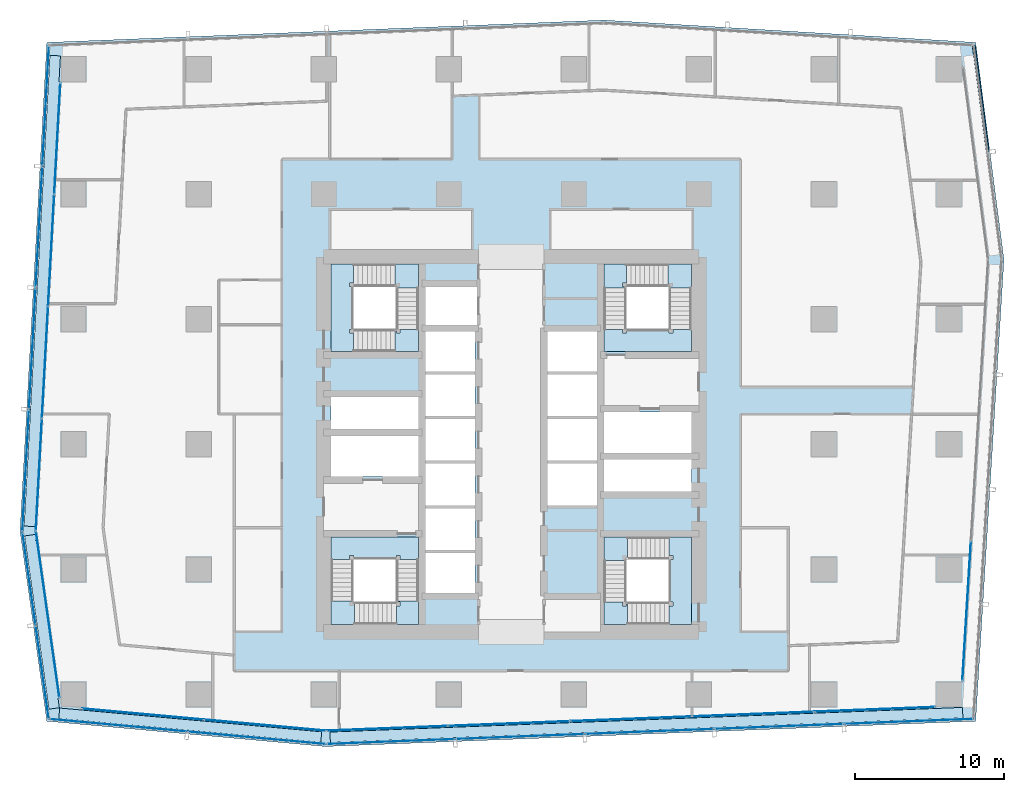
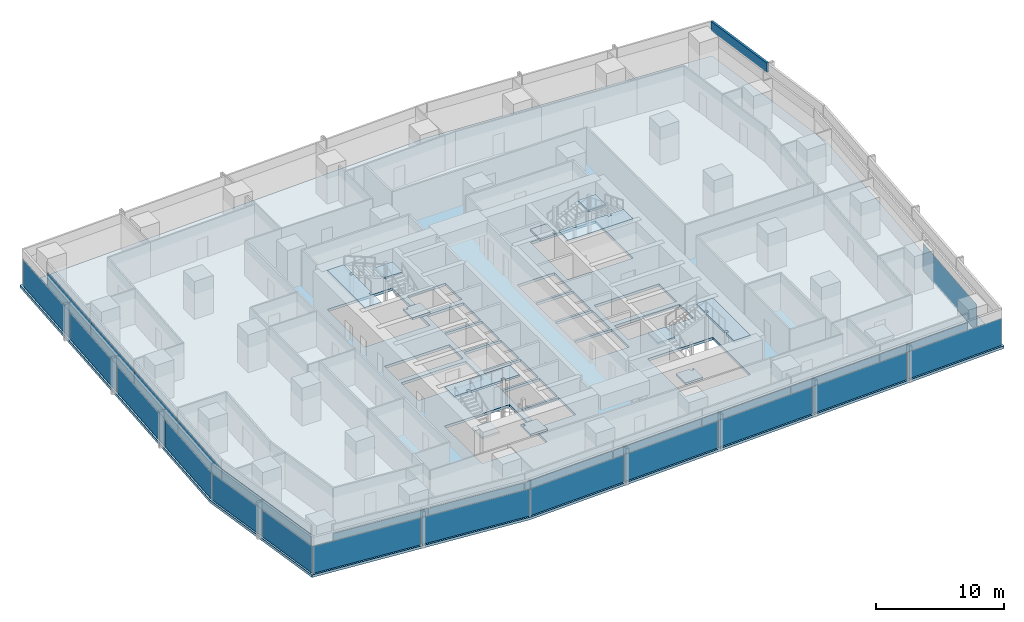
# One storey, part 27 of 40: 30 plates, 13 slabs, 1 member, 14 elements without a shape of their own.
"""IFC4 building model written with IfcOpenShell, lengths in metres."""

from ifc_helpers import new_model, si_unit, direction, frame, origin, origin_2d, place, context, subcontext, project, spatial, polyline, rectangle, hollow_rectangle, outline, extrude, material, layer, layer_set, material_profile, profile_set, type_object, element, aggregate, save


model = new_model("IFC4")

# Units and contexts
model_context = context("Model", 3, precision=1e-05, world=origin(), true_north=direction((0.0, 1.0)))
body_context = subcontext(model_context, "Body", "Model", "MODEL_VIEW")
ifc_project = project(units=[si_unit("LENGTHUNIT", "METRE"), si_unit("AREAUNIT", "SQUARE_METRE"), si_unit("VOLUMEUNIT", "CUBIC_METRE"), si_unit("PLANEANGLEUNIT", "RADIAN"), si_unit("MASSUNIT", "GRAM", prefix="KILO")], contexts=[model_context])

# Site, building, storey
site_placement = place(None, origin())
site = spatial("IfcSite", under=ifc_project, at=site_placement, CompositionType="ELEMENT")
building_placement = place(site_placement, origin())
building = spatial("IfcBuilding", under=site, at=building_placement, Name="Rekha Terrace Tower", CompositionType="ELEMENT")
storey_placement = place(building_placement, frame((0.0, 0.0, 110.300048828125)))
storey = spatial("IfcBuildingStorey", under=building, at=storey_placement, Name="L27", CompositionType="ELEMENT", Elevation=110.300048828125)

# Curtain wall, member
ifc_material_1 = material(Name="Aluminium framing", Category="aluminium")
curtain_wall_type_1 = type_object("IfcCurtainWallType", Name="CW2 double skin outer glazing", PredefinedType="USERDEFINED", material=ifc_material_1)
curtain_wall_1_placement = place(storey_placement, origin())
curtain_wall_1 = element("IfcCurtainWall", 1, at=curtain_wall_1_placement, inside=storey, type_object=curtain_wall_type_1, Name="CW2 double skin outer glazing", ObjectType="DOUBLE SKIN OUTER GLAZING", PredefinedType="USERDEFINED")
ifc_material_2 = material(Name="Insulated aluminium spandrel box", Category="aluminium")
ifc_material_profile = material_profile(ifc_material_2, hollow_rectangle(XDim=0.199951171875, YDim=0.89990234375, WallThickness=0.0029296875, at=origin_2d()), Name="AL SPANDREL BOX 200x900")
ifc_profile_set = profile_set([ifc_material_profile], Name="Insulated aluminium spandrel box")
member_type = type_object("IfcMemberType", Name="CW2 spandrel transom 200 x 900", PredefinedType="USERDEFINED", material=ifc_profile_set)
member_placement = place(storey_placement, frame((69.793701171875, 53.26513671875, 3.050048828125), z_axis=(-0.12912937971, 0.9916277544, 0.0), x_axis=(-0.9916277544, -0.12912937971, 0.0)))
member = element("IfcMember", 2, at=member_placement, type_object=member_type, Name="CW2 spandrel transom 2", ObjectType="TRANSOM", PredefinedType="USERDEFINED", context=body_context, shape_type="SweptSolid", body=[
    extrude(hollow_rectangle(XDim=0.199951171875, YDim=0.89990234375, WallThickness=0.0029296875, at=origin_2d()), origin(), (0.0, 0.0, 1.0), 7.163818359375),
])
aggregate(curtain_wall_1, [member])

# Curtain wall, plates
curtain_wall_type_2 = type_object("IfcCurtainWallType", Name="CW1 double skin inner glazing", PredefinedType="USERDEFINED", material=ifc_material_1)
curtain_wall_2_placement = place(storey_placement, origin())
curtain_wall_2 = element("IfcCurtainWall", 3, at=curtain_wall_2_placement, inside=storey, type_object=curtain_wall_type_2, Name="CW1 double skin inner glazing", ObjectType="DOUBLE SKIN INNER GLAZING", PredefinedType="USERDEFINED")
ifc_material_3 = material(Name="Double-glazed low-e unit 32", Category="glass")
ifc_layer_1 = layer(ifc_material_3, 0.031982421875)
ifc_layer_set_1 = layer_set([ifc_layer_1], Name="Double-glazed low-e unit 32")
plate_type_1 = type_object("IfcPlateType", Name="CW1 jumbo vision panel, double-glazed low-e unit 32", PredefinedType="CURTAIN_PANEL", material=ifc_layer_set_1)
plate_1_placement = place(storey_placement, frame((13.0439453125, 15.479248046875, 0.0), z_axis=(0.0, 0.0, 1.0), x_axis=(0.995901923142, -0.090439811381, 0.0)))
plate_1 = element("IfcPlate", 4, at=plate_1_placement, type_object=plate_type_1, Name="CW1 panel 1.1", PredefinedType="CURTAIN_PANEL", context=body_context, shape_type="SweptSolid", body=[
    extrude(rectangle(XDim=8.1494140625, YDim=0.031982421875, at=origin_2d()), origin(), (0.0, 0.0, 1.0), 2.60009765625),
])
plate_2_placement = place(storey_placement, frame((21.257080078125, 14.7333984375, 0.0), z_axis=(0.0, 0.0, 1.0), x_axis=(0.995901923142, -0.090439811381, 0.0)))
plate_2 = element("IfcPlate", 5, at=plate_2_placement, type_object=plate_type_1, Name="CW1 panel 2.1", PredefinedType="CURTAIN_PANEL", context=body_context, shape_type="SweptSolid", body=[
    extrude(rectangle(XDim=8.214599609375, YDim=0.031982421875, at=origin_2d()), origin(), (0.0, 0.0, 1.0), 2.60009765625),
])
aggregate(curtain_wall_2, [plate_1, plate_2])

curtain_wall_3_placement = place(storey_placement, origin())
curtain_wall_3 = element("IfcCurtainWall", 6, at=curtain_wall_3_placement, inside=storey, type_object=curtain_wall_type_2, Name="CW1 double skin inner glazing", ObjectType="DOUBLE SKIN INNER GLAZING", PredefinedType="USERDEFINED")
plate_3_placement = place(storey_placement, frame((29.4619140625, 14.52197265625, 0.0), z_axis=(0.0, 0.0, 1.0), x_axis=(0.999243498917, 0.038889971345, 0.0)))
plate_3 = element("IfcPlate", 7, at=plate_3_placement, type_object=plate_type_1, Name="CW1 panel 1.1", PredefinedType="CURTAIN_PANEL", context=body_context, shape_type="SweptSolid", body=[
    extrude(rectangle(XDim=8.105224609375, YDim=0.031982421875, at=origin_2d()), origin(), (0.0, 0.0, 1.0), 2.60009765625),
])
plate_4_placement = place(storey_placement, frame((37.64208984375, 14.84033203125, 0.0), z_axis=(0.0, 0.0, 1.0), x_axis=(0.999243498917, 0.038889971345, 0.0)))
plate_4 = element("IfcPlate", 8, at=plate_4_placement, type_object=plate_type_1, Name="CW1 panel 2.1", PredefinedType="CURTAIN_PANEL", context=body_context, shape_type="SweptSolid", body=[
    extrude(rectangle(XDim=8.1376953125, YDim=0.031982421875, at=origin_2d()), origin(), (0.0, 0.0, 1.0), 2.60009765625),
])
plate_5_placement = place(storey_placement, frame((45.838623046875, 15.159423828125, 0.0), z_axis=(0.0, 0.0, 1.0), x_axis=(0.999243498917, 0.038889971345, 0.0)))
plate_5 = element("IfcPlate", 9, at=plate_5_placement, type_object=plate_type_1, Name="CW1 panel 3.1", PredefinedType="CURTAIN_PANEL", context=body_context, shape_type="SweptSolid", body=[
    extrude(rectangle(XDim=8.1376953125, YDim=0.031982421875, at=origin_2d()), origin(), (0.0, 0.0, 1.0), 2.60009765625),
])
plate_6_placement = place(storey_placement, frame((54.034912109375, 15.478271484375, 0.0), z_axis=(0.0, 0.0, 1.0), x_axis=(0.999243498917, 0.038889971345, 0.0)))
plate_6 = element("IfcPlate", 10, at=plate_6_placement, type_object=plate_type_1, Name="CW1 panel 4.1", PredefinedType="CURTAIN_PANEL", context=body_context, shape_type="SweptSolid", body=[
    extrude(rectangle(XDim=8.1376953125, YDim=0.031982421875, at=origin_2d()), origin(), (0.0, 0.0, 1.0), 2.60009765625),
])
plate_7_placement = place(storey_placement, frame((62.21533203125, 15.796630859375, 0.0), z_axis=(0.0, 0.0, 1.0), x_axis=(0.999243498917, 0.038889971345, 0.0)))
plate_7 = element("IfcPlate", 11, at=plate_7_placement, type_object=plate_type_1, Name="CW1 panel 5.1", PredefinedType="CURTAIN_PANEL", context=body_context, shape_type="SweptSolid", body=[
    extrude(rectangle(XDim=8.105224609375, YDim=0.031982421875, at=origin_2d()), origin(), (0.0, 0.0, 1.0), 2.60009765625),
])
aggregate(curtain_wall_3, [plate_3, plate_4, plate_5, plate_6, plate_7])

# Curtain wall, plate
curtain_wall_4_placement = place(storey_placement, origin())
curtain_wall_4 = element("IfcCurtainWall", 12, at=curtain_wall_4_placement, inside=storey, type_object=curtain_wall_type_2, Name="CW1 double skin inner glazing", ObjectType="DOUBLE SKIN INNER GLAZING", PredefinedType="USERDEFINED")
plate_8_placement = place(storey_placement, frame((68.391357421875, 22.400634765625, 0.0), z_axis=(0.0, 0.0, 1.0), x_axis=(0.061159803131, 0.998127987024, 0.0)))
plate_8 = element("IfcPlate", 13, at=plate_8_placement, type_object=plate_type_1, Name="CW1 panel 1.1", PredefinedType="CURTAIN_PANEL", context=body_context, shape_type="SweptSolid", body=[
    extrude(rectangle(XDim=9.355224609375, YDim=0.031982421875, at=origin_2d()), origin(), (0.0, 0.0, 1.0), 2.60009765625),
])
aggregate(curtain_wall_4, [plate_8])

# Curtain wall, plates
curtain_wall_5_placement = place(storey_placement, origin())
curtain_wall_5 = element("IfcCurtainWall", 14, at=curtain_wall_5_placement, inside=storey, type_object=curtain_wall_type_2, Name="CW1 double skin inner glazing", ObjectType="DOUBLE SKIN INNER GLAZING", PredefinedType="USERDEFINED")
plate_9_placement = place(storey_placement, frame((7.30810546875, 54.15087890625, 0.0), z_axis=(0.0, 0.0, 1.0), x_axis=(-0.054742352707, -0.99850051318, 0.0)))
plate_9 = element("IfcPlate", 15, at=plate_9_placement, type_object=plate_type_1, Name="CW1 panel 1.1", PredefinedType="CURTAIN_PANEL", context=body_context, shape_type="SweptSolid", body=[
    extrude(rectangle(XDim=7.443359375, YDim=0.031982421875, at=origin_2d()), origin(), (0.0, 0.0, 1.0), 2.60009765625),
])
plate_10_placement = place(storey_placement, frame((6.89599609375, 46.637451171875, 0.0), z_axis=(0.0, 0.0, 1.0), x_axis=(-0.054742352707, -0.99850051318, 0.0)))
plate_10 = element("IfcPlate", 16, at=plate_10_placement, type_object=plate_type_1, Name="CW1 panel 2.1", PredefinedType="CURTAIN_PANEL", context=body_context, shape_type="SweptSolid", body=[
    extrude(rectangle(XDim=7.475830078125, YDim=0.031982421875, at=origin_2d()), origin(), (0.0, 0.0, 1.0), 2.60009765625),
])
plate_11_placement = place(storey_placement, frame((6.4833984375, 39.10791015625, 0.0), z_axis=(0.0, 0.0, 1.0), x_axis=(-0.054742352707, -0.99850051318, 0.0)))
plate_11 = element("IfcPlate", 17, at=plate_11_placement, type_object=plate_type_1, Name="CW1 panel 3.1", PredefinedType="CURTAIN_PANEL", context=body_context, shape_type="SweptSolid", body=[
    extrude(rectangle(XDim=7.475830078125, YDim=0.031982421875, at=origin_2d()), origin(), (0.0, 0.0, 1.0), 2.60009765625),
])
plate_12_placement = place(storey_placement, frame((6.069580078125, 31.56201171875, 0.0), z_axis=(0.0, 0.0, 1.0), x_axis=(-0.054742352707, -0.99850051318, 0.0)))
plate_12 = element("IfcPlate", 18, at=plate_12_placement, type_object=plate_type_1, Name="CW1 panel 4.1", PredefinedType="CURTAIN_PANEL", context=body_context, shape_type="SweptSolid", body=[
    extrude(rectangle(XDim=7.508544921875, YDim=0.031982421875, at=origin_2d()), origin(), (0.0, 0.0, 1.0), 2.60009765625),
])
aggregate(curtain_wall_5, [plate_9, plate_10, plate_11, plate_12])

# Curtain wall, plate
curtain_wall_6_placement = place(storey_placement, origin())
curtain_wall_6 = element("IfcCurtainWall", 19, at=curtain_wall_6_placement, inside=storey, type_object=curtain_wall_type_2, Name="CW1 double skin inner glazing", ObjectType="DOUBLE SKIN INNER GLAZING", PredefinedType="USERDEFINED")
plate_13_placement = place(storey_placement, frame((6.65869140625, 22.177490234375, 0.0), z_axis=(0.0, 0.0, 1.0), x_axis=(0.139597048082, -0.990208394312, 0.0)))
plate_13 = element("IfcPlate", 20, at=plate_13_placement, type_object=plate_type_1, Name="CW1 panel 1.1", PredefinedType="CURTAIN_PANEL", context=body_context, shape_type="SweptSolid", body=[
    extrude(rectangle(XDim=11.253173828125, YDim=0.031982421875, at=origin_2d()), origin(), (0.0, 0.0, 1.0), 2.60009765625),
])
aggregate(curtain_wall_6, [plate_13])

# Curtain wall, plates
curtain_wall_7_placement = place(storey_placement, origin())
curtain_wall_7 = element("IfcCurtainWall", 21, at=curtain_wall_7_placement, inside=storey, type_object=curtain_wall_type_1, Name="CW2 double skin outer glazing", ObjectType="DOUBLE SKIN OUTER GLAZING", PredefinedType="USERDEFINED")
ifc_material_4 = material(Name="Toughened single glazing 12", Category="glass")
ifc_layer_2 = layer(ifc_material_4, 0.011962890625)
ifc_layer_set_2 = layer_set([ifc_layer_2], Name="Toughened single glazing 12")
plate_type_2 = type_object("IfcPlateType", Name="CW2 jumbo vision panel, toughened single glazing 12", PredefinedType="CURTAIN_PANEL", material=ifc_layer_set_2)
plate_14_placement = place(storey_placement, frame((11.406494140625, 14.72412109375, 0.0), z_axis=(0.0, 0.0, 1.0), x_axis=(0.995901923137, -0.090439811433, 0.0)))
plate_14 = element("IfcPlate", 22, at=plate_14_placement, type_object=plate_type_2, Name="CW2 panel 1.1", PredefinedType="CURTAIN_PANEL", context=body_context, shape_type="SweptSolid", body=[
    extrude(rectangle(XDim=9.2099609375, YDim=0.011962890625, at=origin_2d()), origin(), (0.0, 0.0, 1.0), 2.60009765625),
])
plate_15_placement = place(storey_placement, frame((20.6982421875, 13.88037109375, 0.0), z_axis=(0.0, 0.0, 1.0), x_axis=(0.995901923137, -0.090439811433, 0.0)))
plate_15 = element("IfcPlate", 23, at=plate_15_placement, type_object=plate_type_2, Name="CW2 panel 2.1", PredefinedType="CURTAIN_PANEL", context=body_context, shape_type="SweptSolid", body=[
    extrude(rectangle(XDim=9.2900390625, YDim=0.011962890625, at=origin_2d()), origin(), (0.0, 0.0, 1.0), 2.60009765625),
])
aggregate(curtain_wall_7, [plate_14, plate_15])

curtain_wall_8_placement = place(storey_placement, origin())
curtain_wall_8 = element("IfcCurtainWall", 24, at=curtain_wall_8_placement, inside=storey, type_object=curtain_wall_type_1, Name="CW2 double skin outer glazing", ObjectType="DOUBLE SKIN OUTER GLAZING", PredefinedType="USERDEFINED")
plate_16_placement = place(storey_placement, frame((29.696533203125, 13.63037109375, 0.0), z_axis=(0.0, 0.0, 1.0), x_axis=(0.999243498917, 0.038889971345, 0.0)))
plate_16 = element("IfcPlate", 25, at=plate_16_placement, type_object=plate_type_2, Name="CW2 panel 1.1", PredefinedType="CURTAIN_PANEL", context=body_context, shape_type="SweptSolid", body=[
    extrude(rectangle(XDim=8.591552734375, YDim=0.011962890625, at=origin_2d()), origin(), (0.0, 0.0, 1.0), 2.60009765625),
])
plate_17_placement = place(storey_placement, frame((38.381591796875, 13.968505859375, 0.0), z_axis=(0.0, 0.0, 1.0), x_axis=(0.999243498917, 0.038889971345, 0.0)))
plate_17 = element("IfcPlate", 26, at=plate_17_placement, type_object=plate_type_2, Name="CW2 panel 2.1", PredefinedType="CURTAIN_PANEL", context=body_context, shape_type="SweptSolid", body=[
    extrude(rectangle(XDim=8.631591796875, YDim=0.011962890625, at=origin_2d()), origin(), (0.0, 0.0, 1.0), 2.60009765625),
])
plate_18_placement = place(storey_placement, frame((47.086669921875, 14.307373046875, 0.0), z_axis=(0.0, 0.0, 1.0), x_axis=(0.999243498917, 0.038889971345, 0.0)))
plate_18 = element("IfcPlate", 27, at=plate_18_placement, type_object=plate_type_2, Name="CW2 panel 3.1", PredefinedType="CURTAIN_PANEL", context=body_context, shape_type="SweptSolid", body=[
    extrude(rectangle(XDim=8.631591796875, YDim=0.011962890625, at=origin_2d()), origin(), (0.0, 0.0, 1.0), 2.60009765625),
])
plate_19_placement = place(storey_placement, frame((55.791748046875, 14.64599609375, 0.0), z_axis=(0.0, 0.0, 1.0), x_axis=(0.999243498917, 0.038889971345, 0.0)))
plate_19 = element("IfcPlate", 28, at=plate_19_placement, type_object=plate_type_2, Name="CW2 panel 4.1", PredefinedType="CURTAIN_PANEL", context=body_context, shape_type="SweptSolid", body=[
    extrude(rectangle(XDim=8.631591796875, YDim=0.011962890625, at=origin_2d()), origin(), (0.0, 0.0, 1.0), 2.60009765625),
])
plate_20_placement = place(storey_placement, frame((64.5166015625, 14.985595703125, 0.0), z_axis=(0.0, 0.0, 1.0), x_axis=(0.999243498917, 0.038889971345, 0.0)))
plate_20 = element("IfcPlate", 29, at=plate_20_placement, type_object=plate_type_2, Name="CW2 panel 5.1", PredefinedType="CURTAIN_PANEL", context=body_context, shape_type="SweptSolid", body=[
    extrude(rectangle(XDim=8.671630859375, YDim=0.011962890625, at=origin_2d()), origin(), (0.0, 0.0, 1.0), 2.60009765625),
])
aggregate(curtain_wall_8, [plate_16, plate_17, plate_18, plate_19, plate_20])

curtain_wall_9_placement = place(storey_placement, origin())
curtain_wall_9 = element("IfcCurtainWall", 30, at=curtain_wall_9_placement, inside=storey, type_object=curtain_wall_type_1, Name="CW2 double skin outer glazing", ObjectType="DOUBLE SKIN OUTER GLAZING", PredefinedType="USERDEFINED")
plate_21_placement = place(storey_placement, frame((6.52685546875, 56.342041015625, 0.0), z_axis=(0.0, 0.0, 1.0), x_axis=(-0.054742352707, -0.99850051318, 0.0)))
plate_21 = element("IfcPlate", 31, at=plate_21_placement, type_object=plate_type_2, Name="CW2 panel 1.1", PredefinedType="CURTAIN_PANEL", context=body_context, shape_type="SweptSolid", body=[
    extrude(rectangle(XDim=8.06005859375, YDim=0.011962890625, at=origin_2d()), origin(), (0.0, 0.0, 1.0), 2.60009765625),
])
plate_22_placement = place(storey_placement, frame((6.080078125, 48.1943359375, 0.0), z_axis=(0.0, 0.0, 1.0), x_axis=(-0.054742352707, -0.99850051318, 0.0)))
plate_22 = element("IfcPlate", 32, at=plate_22_placement, type_object=plate_type_2, Name="CW2 panel 2.1", PredefinedType="CURTAIN_PANEL", context=body_context, shape_type="SweptSolid", body=[
    extrude(rectangle(XDim=8.10009765625, YDim=0.011962890625, at=origin_2d()), origin(), (0.0, 0.0, 1.0), 2.60009765625),
])
plate_23_placement = place(storey_placement, frame((5.63232421875, 40.026611328125, 0.0), z_axis=(0.0, 0.0, 1.0), x_axis=(-0.054742352707, -0.99850051318, 0.0)))
plate_23 = element("IfcPlate", 33, at=plate_23_placement, type_object=plate_type_2, Name="CW2 panel 3.1", PredefinedType="CURTAIN_PANEL", context=body_context, shape_type="SweptSolid", body=[
    extrude(rectangle(XDim=8.10009765625, YDim=0.011962890625, at=origin_2d()), origin(), (0.0, 0.0, 1.0), 2.60009765625),
])
plate_24_placement = place(storey_placement, frame((5.183349609375, 31.8388671875, 0.0), z_axis=(0.0, 0.0, 1.0), x_axis=(-0.054742352707, -0.99850051318, 0.0)))
plate_24 = element("IfcPlate", 34, at=plate_24_placement, type_object=plate_type_2, Name="CW2 panel 4.1", PredefinedType="CURTAIN_PANEL", context=body_context, shape_type="SweptSolid", body=[
    extrude(rectangle(XDim=8.14013671875, YDim=0.011962890625, at=origin_2d()), origin(), (0.0, 0.0, 1.0), 2.60009765625),
])
aggregate(curtain_wall_9, [plate_21, plate_22, plate_23, plate_24])

curtain_wall_10_placement = place(storey_placement, origin())
curtain_wall_10 = element("IfcCurtainWall", 35, at=curtain_wall_10_placement, inside=storey, type_object=curtain_wall_type_1, Name="CW2 double skin outer glazing", ObjectType="DOUBLE SKIN OUTER GLAZING", PredefinedType="USERDEFINED")
plate_25_placement = place(storey_placement, frame((5.408447265625, 24.598388671875, 0.0), z_axis=(0.0, 0.0, 1.0), x_axis=(0.139597048082, -0.990208394312, 0.0)))
plate_25 = element("IfcPlate", 36, at=plate_25_placement, type_object=plate_type_2, Name="CW2 panel 1.1", PredefinedType="CURTAIN_PANEL", context=body_context, shape_type="SweptSolid", body=[
    extrude(rectangle(XDim=6.255859375, YDim=0.011962890625, at=origin_2d()), origin(), (0.0, 0.0, 1.0), 2.60009765625),
])
plate_26_placement = place(storey_placement, frame((6.298583984375, 18.284912109375, 0.0), z_axis=(0.0, 0.0, 1.0), x_axis=(0.139597048082, -0.990208394312, 0.0)))
plate_26 = element("IfcPlate", 37, at=plate_26_placement, type_object=plate_type_2, Name="CW2 panel 2.1", PredefinedType="CURTAIN_PANEL", context=body_context, shape_type="SweptSolid", body=[
    extrude(rectangle(XDim=6.3359375, YDim=0.011962890625, at=origin_2d()), origin(), (0.0, 0.0, 1.0), 2.60009765625),
])
aggregate(curtain_wall_10, [plate_25, plate_26])

# Plates
ifc_material_5 = material(Name="Galvanised steel open grating", Category="steel")
ifc_layer_3 = layer(ifc_material_5, 0.050048828125)
ifc_layer_set_3 = layer_set([ifc_layer_3], Name="Galvanised steel open grating")
plate_type_3 = type_object("IfcPlateType", Name="GT1 cavity walkway grating 50", PredefinedType="USERDEFINED", material=ifc_layer_set_3)
plate_27_placement = place(storey_placement, frame((16.236083984375, 14.737548828125, 0.0), z_axis=(0.0, 0.0, 1.0), x_axis=(0.99590192314, -0.090439811399, 0.0)))
element("IfcPlate", 38, at=plate_27_placement, inside=storey, type_object=plate_type_3, Name="Cavity walkway grating", ObjectType="CAVITY WALKWAY GRATING", PredefinedType="USERDEFINED", context=body_context, shape_type="SweptSolid", body=[
    extrude(rectangle(XDim=17.674072265625, YDim=0.705078125, at=origin_2d()), origin(), (0.0, 0.0, 1.0), 0.050048828125),
])
plate_28_placement = place(storey_placement, frame((46.88037109375, 14.74951171875, 0.0), z_axis=(0.0, 0.0, 1.0), x_axis=(0.999243498917, 0.038889971345, 0.0)))
element("IfcPlate", 39, at=plate_28_placement, inside=storey, type_object=plate_type_3, Name="Cavity walkway grating", ObjectType="CAVITY WALKWAY GRATING", PredefinedType="USERDEFINED", context=body_context, shape_type="SweptSolid", body=[
    extrude(rectangle(XDim=42.521728515625, YDim=0.705078125, at=origin_2d()), origin(), (0.0, 0.0, 1.0), 0.050048828125),
])
plate_29_placement = place(storey_placement, frame((6.295654296875, 43.9033203125, 0.0), z_axis=(0.0, 0.0, 1.0), x_axis=(-0.05474235269, -0.998500513181, 0.0)))
element("IfcPlate", 40, at=plate_29_placement, inside=storey, type_object=plate_type_3, Name="Cavity walkway grating", ObjectType="CAVITY WALKWAY GRATING", PredefinedType="USERDEFINED", context=body_context, shape_type="SweptSolid", body=[
    extrude(rectangle(XDim=31.6669921875, YDim=0.705078125, at=origin_2d()), origin(), (0.0, 0.0, 1.0), 0.050048828125),
])
plate_30_placement = place(storey_placement, frame((6.2744140625, 21.678955078125, 0.0), z_axis=(0.0, 0.0, 1.0), x_axis=(0.139597048064, -0.990208394315, 0.0)))
element("IfcPlate", 41, at=plate_30_placement, inside=storey, type_object=plate_type_3, Name="Cavity walkway grating", ObjectType="CAVITY WALKWAY GRATING", PredefinedType="USERDEFINED", context=body_context, shape_type="SweptSolid", body=[
    extrude(rectangle(XDim=11.751220703125, YDim=0.705078125, at=origin_2d()), origin(), (0.0, 0.0, 1.0), 0.050048828125),
])

# Stair, slabs
ifc_material_6 = material(Name="Concrete M40", Category="concrete")
stair_type = type_object("IfcStairType", Name="ST30 stair, 30 risers of 125, going 310, 1500 wide flights, 3 flights", PredefinedType="HALF_TURN_STAIR", material=ifc_material_6)
stair_1_placement = place(storey_placement, origin())
stair_1 = element("IfcStair", 42, at=stair_1_placement, inside=storey, type_object=stair_type, Name="Stair ST1 L27 to L28", PredefinedType="HALF_TURN_STAIR")
ifc_layer_4 = layer(ifc_material_6, 0.199951171875)
ifc_layer_set_4 = layer_set([ifc_layer_4], Name="Concrete M40")
slab_type_1 = type_object("IfcSlabType", Name="LD1 200 concrete stair landing", PredefinedType="LANDING", material=ifc_layer_set_4)
slab_1_placement = place(storey_placement, frame((0.0, 0.0, 1.050048828125)))
slab_1 = element("IfcSlab", 43, at=slab_1_placement, type_object=slab_type_1, Name="ST1 landing 1", PredefinedType="LANDING", context=body_context, shape_type="SweptSolid", body=[
    extrude(outline(polyline([(30.074951171875, 21.5), (31.574951171875, 21.5), (31.574951171875, 23.0849609375), (30.074951171875, 23.0849609375), (30.074951171875, 23.0), (30.324951171875, 23.0), (30.324951171875, 22.75), (30.074951171875, 22.75), (30.074951171875, 21.5)])), origin(), (0.0, 0.0, 1.0), 0.199951171875),
])
slab_2_placement = place(storey_placement, frame((0.0, 0.0, 2.300048828125)))
slab_2 = element("IfcSlab", 44, at=slab_2_placement, type_object=slab_type_1, Name="ST1 landing 2", PredefinedType="LANDING", context=body_context, shape_type="SweptSolid", body=[
    extrude(outline(polyline([(27.199951171875, 23.0849609375), (25.699951171875, 23.0849609375), (25.699951171875, 21.5), (27.284912109375, 21.5), (27.284912109375, 23.0), (27.199951171875, 23.0), (27.199951171875, 23.0849609375)])), origin(), (0.0, 0.0, 1.0), 0.199951171875),
])
slab_3_placement = place(storey_placement, frame((0.0, 0.0, 3.550048828125)))
slab_3 = element("IfcSlab", 45, at=slab_3_placement, type_object=slab_type_1, Name="ST1 landing 3", PredefinedType="LANDING", context=body_context, shape_type="SweptSolid", body=[
    extrude(outline(polyline([(31.574951171875, 25.875), (31.574951171875, 27.375), (25.699951171875, 27.375), (25.699951171875, 25.875), (26.949951171875, 25.875), (26.949951171875, 26.125), (27.199951171875, 26.125), (27.199951171875, 25.875), (30.074951171875, 25.875), (30.074951171875, 26.125), (30.324951171875, 26.125), (30.324951171875, 25.875), (31.574951171875, 25.875)])), origin(), (0.0, 0.0, 1.0), 0.199951171875),
])
aggregate(stair_1, [slab_1, slab_2, slab_3])

stair_2_placement = place(storey_placement, origin())
stair_2 = element("IfcStair", 46, at=stair_2_placement, inside=storey, type_object=stair_type, Name="Stair ST2 L27 to L28", PredefinedType="HALF_TURN_STAIR")
slab_4_placement = place(storey_placement, frame((0.0, 0.0, 1.050048828125)))
slab_4 = element("IfcSlab", 47, at=slab_4_placement, type_object=slab_type_1, Name="ST2 landing 1", PredefinedType="LANDING", context=body_context, shape_type="SweptSolid", body=[
    extrude(outline(polyline([(45.52490234375, 45.699951171875), (44.02490234375, 45.699951171875), (44.02490234375, 44.114990234375), (45.52490234375, 44.114990234375), (45.52490234375, 44.199951171875), (45.27490234375, 44.199951171875), (45.27490234375, 44.449951171875), (45.52490234375, 44.449951171875), (45.52490234375, 45.699951171875)])), origin(), (0.0, 0.0, 1.0), 0.199951171875),
])
slab_5_placement = place(storey_placement, frame((0.0, 0.0, 2.300048828125)))
slab_5 = element("IfcSlab", 48, at=slab_5_placement, type_object=slab_type_1, Name="ST2 landing 2", PredefinedType="LANDING", context=body_context, shape_type="SweptSolid", body=[
    extrude(outline(polyline([(48.39990234375, 44.114990234375), (49.89990234375, 44.114990234375), (49.89990234375, 45.699951171875), (48.31494140625, 45.699951171875), (48.31494140625, 44.199951171875), (48.39990234375, 44.199951171875), (48.39990234375, 44.114990234375)])), origin(), (0.0, 0.0, 1.0), 0.199951171875),
])
slab_6_placement = place(storey_placement, frame((0.0, 0.0, 3.550048828125)))
slab_6 = element("IfcSlab", 49, at=slab_6_placement, type_object=slab_type_1, Name="ST2 landing 3", PredefinedType="LANDING", context=body_context, shape_type="SweptSolid", body=[
    extrude(outline(polyline([(44.02490234375, 41.324951171875), (44.02490234375, 39.824951171875), (49.89990234375, 39.824951171875), (49.89990234375, 41.324951171875), (48.64990234375, 41.324951171875), (48.64990234375, 41.074951171875), (48.39990234375, 41.074951171875), (48.39990234375, 41.324951171875), (45.52490234375, 41.324951171875), (45.52490234375, 41.074951171875), (45.27490234375, 41.074951171875), (45.27490234375, 41.324951171875), (44.02490234375, 41.324951171875)])), origin(), (0.0, 0.0, 1.0), 0.199951171875),
])
aggregate(stair_2, [slab_4, slab_5, slab_6])

stair_3_placement = place(storey_placement, origin())
stair_3 = element("IfcStair", 50, at=stair_3_placement, inside=storey, type_object=stair_type, Name="Stair ST3 L27 to L28", PredefinedType="HALF_TURN_STAIR")
slab_7_placement = place(storey_placement, frame((0.0, 0.0, 1.050048828125)))
slab_7 = element("IfcSlab", 51, at=slab_7_placement, type_object=slab_type_1, Name="ST3 landing 1", PredefinedType="LANDING", context=body_context, shape_type="SweptSolid", body=[
    extrude(outline(polyline([(44.02490234375, 23.0), (44.02490234375, 21.5), (45.610107421875, 21.5), (45.610107421875, 23.0), (45.52490234375, 23.0), (45.52490234375, 22.75), (45.27490234375, 22.75), (45.27490234375, 23.0), (44.02490234375, 23.0)])), origin(), (0.0, 0.0, 1.0), 0.199951171875),
])
slab_8_placement = place(storey_placement, frame((0.0, 0.0, 2.300048828125)))
slab_8 = element("IfcSlab", 52, at=slab_8_placement, type_object=slab_type_1, Name="ST3 landing 2", PredefinedType="LANDING", context=body_context, shape_type="SweptSolid", body=[
    extrude(outline(polyline([(45.610107421875, 25.875), (45.610107421875, 27.375), (44.02490234375, 27.375), (44.02490234375, 25.7900390625), (45.52490234375, 25.7900390625), (45.52490234375, 25.875), (45.610107421875, 25.875)])), origin(), (0.0, 0.0, 1.0), 0.199951171875),
])
slab_9_placement = place(storey_placement, frame((0.0, 0.0, 3.550048828125)))
slab_9 = element("IfcSlab", 53, at=slab_9_placement, type_object=slab_type_1, Name="ST3 landing 3", PredefinedType="LANDING", context=body_context, shape_type="SweptSolid", body=[
    extrude(outline(polyline([(48.39990234375, 21.5), (49.89990234375, 21.5), (49.89990234375, 27.375), (48.39990234375, 27.375), (48.39990234375, 26.125), (48.64990234375, 26.125), (48.64990234375, 25.875), (48.39990234375, 25.875), (48.39990234375, 23.0), (48.64990234375, 23.0), (48.64990234375, 22.75), (48.39990234375, 22.75), (48.39990234375, 21.5)])), origin(), (0.0, 0.0, 1.0), 0.199951171875),
])
aggregate(stair_3, [slab_7, slab_8, slab_9])

stair_4_placement = place(storey_placement, origin())
stair_4 = element("IfcStair", 54, at=stair_4_placement, inside=storey, type_object=stair_type, Name="Stair ST4 L27 to L28", PredefinedType="HALF_TURN_STAIR")
slab_10_placement = place(storey_placement, frame((0.0, 0.0, 1.050048828125)))
slab_10 = element("IfcSlab", 55, at=slab_10_placement, type_object=slab_type_1, Name="ST4 landing 1", PredefinedType="LANDING", context=body_context, shape_type="SweptSolid", body=[
    extrude(outline(polyline([(31.574951171875, 41.324951171875), (31.574951171875, 39.824951171875), (29.989990234375, 39.824951171875), (29.989990234375, 41.324951171875), (30.074951171875, 41.324951171875), (30.074951171875, 41.074951171875), (30.324951171875, 41.074951171875), (30.324951171875, 41.324951171875), (31.574951171875, 41.324951171875)])), origin(), (0.0, 0.0, 1.0), 0.199951171875),
])
slab_11_placement = place(storey_placement, frame((0.0, 0.0, 2.300048828125)))
slab_11 = element("IfcSlab", 56, at=slab_11_placement, type_object=slab_type_1, Name="ST4 landing 2", PredefinedType="LANDING", context=body_context, shape_type="SweptSolid", body=[
    extrude(outline(polyline([(29.989990234375, 44.199951171875), (29.989990234375, 45.699951171875), (31.574951171875, 45.699951171875), (31.574951171875, 44.114990234375), (30.074951171875, 44.114990234375), (30.074951171875, 44.199951171875), (29.989990234375, 44.199951171875)])), origin(), (0.0, 0.0, 1.0), 0.199951171875),
])
slab_12_placement = place(storey_placement, frame((0.0, 0.0, 3.550048828125)))
slab_12 = element("IfcSlab", 57, at=slab_12_placement, type_object=slab_type_1, Name="ST4 landing 3", PredefinedType="LANDING", context=body_context, shape_type="SweptSolid", body=[
    extrude(outline(polyline([(27.199951171875, 39.824951171875), (25.699951171875, 39.824951171875), (25.699951171875, 45.699951171875), (27.199951171875, 45.699951171875), (27.199951171875, 44.449951171875), (26.949951171875, 44.449951171875), (26.949951171875, 44.199951171875), (27.199951171875, 44.199951171875), (27.199951171875, 41.324951171875), (26.949951171875, 41.324951171875), (26.949951171875, 41.074951171875), (27.199951171875, 41.074951171875), (27.199951171875, 39.824951171875)])), origin(), (0.0, 0.0, 1.0), 0.199951171875),
])
aggregate(stair_4, [slab_10, slab_11, slab_12])

# Slab
ifc_material_7 = material(Name="Concrete M50", Category="concrete")
ifc_layer_5 = layer(ifc_material_7, 0.25)
ifc_layer_set_5 = layer_set([ifc_layer_5], Name="Concrete M50")
slab_type_2 = type_object("IfcSlabType", Name="SL4 250 post-tensioned flat plate", PredefinedType="FLOOR", material=ifc_layer_set_5)
slab_13_placement = place(storey_placement, frame((0.0, 0.0, -0.25)))
element("IfcSlab", 58, at=slab_13_placement, inside=storey, type_object=slab_type_2, Name="Post-tensioned flat plate L27", PredefinedType="FLOOR", context=body_context, shape_type="SweptSolid", body=[
    extrude(outline(polyline([(4.800048828125, 27.76806640625), (6.60009765625, 15.0), (25.320068359375, 13.300048828125), (69.0, 15.0), (70.89990234375, 46.008056640625), (69.0, 60.60009765625), (44.0400390625, 62.10009765625), (6.60009765625, 60.60009765625), (4.800048828125, 27.76806640625)]), holes=[polyline([(31.574951171875, 27.375), (31.574951171875, 21.5), (25.699951171875, 21.5), (25.699951171875, 27.375), (31.574951171875, 27.375)]), polyline([(35.375, 26.300048828125), (35.375, 23.625), (32.02490234375, 23.625), (32.02490234375, 26.300048828125), (35.375, 26.300048828125)]), polyline([(35.375, 29.300048828125), (35.375, 26.5), (32.02490234375, 26.5), (32.02490234375, 29.300048828125), (35.375, 29.300048828125)]), polyline([(35.375, 32.300048828125), (35.375, 29.5), (32.02490234375, 29.5), (32.02490234375, 32.300048828125), (35.375, 32.300048828125)]), polyline([(31.574951171875, 34.175048828125), (31.574951171875, 31.425048828125), (25.699951171875, 31.425048828125), (25.699951171875, 34.175048828125), (31.574951171875, 34.175048828125)]), polyline([(35.375, 35.300048828125), (35.375, 32.5), (32.02490234375, 32.5), (32.02490234375, 35.300048828125), (35.375, 35.300048828125)]), polyline([(31.574951171875, 36.77490234375), (31.574951171875, 34.625), (25.699951171875, 34.625), (25.699951171875, 36.77490234375), (31.574951171875, 36.77490234375)]), polyline([(35.375, 35.5), (32.02490234375, 35.5), (32.02490234375, 38.300048828125), (35.375, 38.300048828125), (35.375, 35.5)]), polyline([(35.375, 38.5), (32.02490234375, 38.5), (32.02490234375, 41.175048828125), (35.375, 41.175048828125), (35.375, 38.5)]), polyline([(31.574951171875, 45.699951171875), (31.574951171875, 39.824951171875), (25.699951171875, 39.824951171875), (25.699951171875, 45.699951171875), (31.574951171875, 45.699951171875)]), polyline([(49.89990234375, 27.375), (49.89990234375, 21.5), (44.02490234375, 21.5), (44.02490234375, 27.375), (49.89990234375, 27.375)]), polyline([(43.574951171875, 32.300048828125), (43.574951171875, 29.5), (40.22509765625, 29.5), (40.22509765625, 32.300048828125), (43.574951171875, 32.300048828125)]), polyline([(49.89990234375, 30.425048828125), (44.02490234375, 30.425048828125), (44.02490234375, 32.574951171875), (49.89990234375, 32.574951171875), (49.89990234375, 30.425048828125)]), polyline([(43.574951171875, 32.5), (40.22509765625, 32.5), (40.22509765625, 35.300048828125), (43.574951171875, 35.300048828125), (43.574951171875, 32.5)]), polyline([(49.89990234375, 35.77490234375), (49.89990234375, 33.02490234375), (44.02490234375, 33.02490234375), (44.02490234375, 35.77490234375), (49.89990234375, 35.77490234375)]), polyline([(43.574951171875, 38.300048828125), (43.574951171875, 35.5), (40.22509765625, 35.5), (40.22509765625, 38.300048828125), (43.574951171875, 38.300048828125)]), polyline([(43.574951171875, 41.175048828125), (43.574951171875, 38.5), (40.22509765625, 38.5), (40.22509765625, 41.175048828125), (43.574951171875, 41.175048828125)]), polyline([(49.89990234375, 39.824951171875), (44.02490234375, 39.824951171875), (44.02490234375, 45.699951171875), (49.89990234375, 45.699951171875), (49.89990234375, 39.824951171875)]), polyline([(35.5, 41.625), (32.02490234375, 41.625), (32.02490234375, 44.175048828125), (35.5, 44.175048828125), (35.5, 41.625)])]), origin(), (0.0, 0.0, 1.0), 0.25),
])

save(model, "model.ifc")
